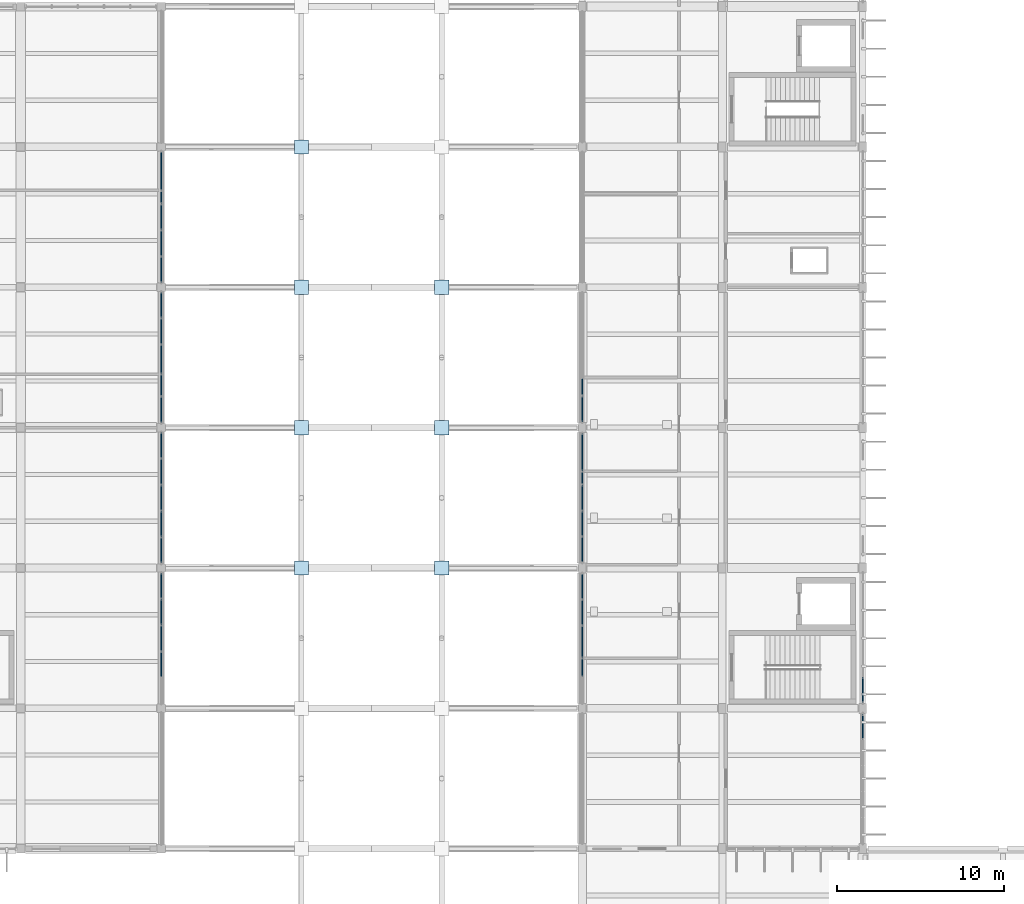
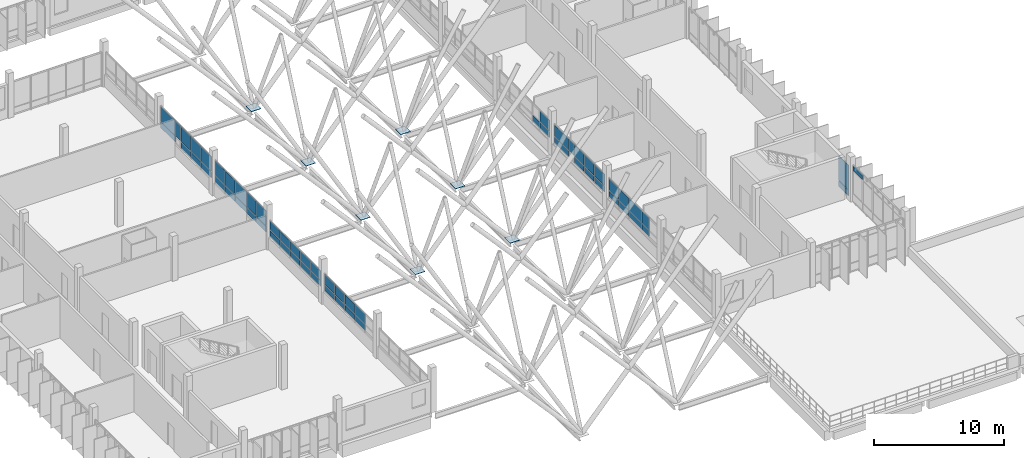
# One storey, part 75 of 107: 67 plates, 9 elements without a shape of their own.
"""IFC4 building model written with IfcOpenShell, lengths in metres."""

from ifc_helpers import new_model, si_unit, direction, frame, origin, origin_2d, place, context, subcontext, project, spatial, rectangle, extrude, material, layer, layer_set, type_object, element, aggregate, save


model = new_model("IFC4")

# Units and contexts
model_context = context("Model", 3, precision=1e-05, world=origin(), true_north=direction((0.0, 1.0)))
body_context = subcontext(model_context, "Body", "Model", "MODEL_VIEW")
ifc_project = project(units=[si_unit("LENGTHUNIT", "METRE"), si_unit("AREAUNIT", "SQUARE_METRE"), si_unit("VOLUMEUNIT", "CUBIC_METRE"), si_unit("PLANEANGLEUNIT", "RADIAN"), si_unit("MASSUNIT", "GRAM", prefix="KILO")], contexts=[model_context])

# Site, building, storey
site_placement = place(None, origin())
site = spatial("IfcSite", under=ifc_project, at=site_placement, CompositionType="ELEMENT")
building_placement = place(site_placement, origin())
building = spatial("IfcBuilding", under=site, at=building_placement, Name="Vireocrest Preparatory School", CompositionType="ELEMENT")
storey_placement = place(building_placement, frame((0.0, 0.0, 13.199951171875)))
storey = spatial("IfcBuildingStorey", under=building, at=storey_placement, Name="L03", CompositionType="ELEMENT", Elevation=13.199951171875)

# Curtain wall, plate
ifc_material_1 = material(Name="Thermally broken aluminium EN AW-6063-T6", Category="aluminium")
ifc_layer_1 = layer(ifc_material_1, 0.179931640625)
ifc_layer_set_1 = layer_set([ifc_layer_1], Name="Thermally broken aluminium EN AW-6063-T6")
curtain_wall_type_1 = type_object("IfcCurtainWallType", Name="Teaching Fin Curtain Wall 8400x4200", PredefinedType="USERDEFINED", material=ifc_layer_set_1)
curtain_wall_1_placement = place(storey_placement, origin())
curtain_wall_1 = element("IfcCurtainWall", 1, at=curtain_wall_1_placement, inside=storey, type_object=curtain_wall_type_1, Name="Curtain Wall CW03 CW_L03_CW03_1092_0357_132", ObjectType="CURTAIN WALL", PredefinedType="USERDEFINED")
ifc_material_2 = material(Name="Insulated triple low-e tempered safety glass", Category="glass")
ifc_layer_2 = layer(ifc_material_2, 0.074951171875)
ifc_layer_set_2 = layer_set([ifc_layer_2], Name="Insulated triple low-e tempered safety glass")
plate_type_1 = type_object("IfcPlateType", Name="Acoustic Triple-Glazed Lab Curtain Panel 75", PredefinedType="CURTAIN_PANEL", material=ifc_layer_set_2)
plate_1_placement = place(storey_placement, frame((109.199951171875, 42.69189453125, 2.96240234375), z_axis=(0.0, 0.0, 1.0), x_axis=(0.0, 1.0, 0.0)))
plate_1 = element("IfcPlate", 2, at=plate_1_placement, type_object=plate_type_1, Name="CW Panel GL2 CW_L03_CW03_1092_0357_132-5-3", PredefinedType="CURTAIN_PANEL", context=body_context, shape_type="SweptSolid", body=[
    extrude(rectangle(XDim=1.48095703125, YDim=0.074951171875, at=origin_2d()), origin(), (0.0, 0.0, 1.0), 0.409912109375),
])
aggregate(curtain_wall_1, [plate_1])

# Curtain wall, plates
curtain_wall_2_placement = place(storey_placement, origin())
curtain_wall_2 = element("IfcCurtainWall", 3, at=curtain_wall_2_placement, inside=storey, type_object=curtain_wall_type_1, Name="Curtain Wall CW03 CW_L03_CW03_1092_0441_132", ObjectType="CURTAIN WALL", PredefinedType="USERDEFINED")
plate_2_placement = place(storey_placement, frame((109.199951171875, 44.907958984375, 0.12744140625), z_axis=(0.0, 0.0, 1.0), x_axis=(0.0, 1.0, 0.0)))
plate_2 = element("IfcPlate", 4, at=plate_2_placement, type_object=plate_type_1, Name="CW Panel GL2 CW_L03_CW03_1092_0441_132-1-1", PredefinedType="CURTAIN_PANEL", context=body_context, shape_type="SweptSolid", body=[
    extrude(rectangle(XDim=1.48095703125, YDim=0.074951171875, at=origin_2d()), origin(), (0.0, 0.0, 1.0), 0.5400390625),
])
plate_3_placement = place(storey_placement, frame((109.199951171875, 44.907958984375, 0.732666015625), z_axis=(0.0, 0.0, 1.0), x_axis=(0.0, 1.0, 0.0)))
plate_3 = element("IfcPlate", 5, at=plate_3_placement, type_object=plate_type_1, Name="CW Panel GL2 CW_L03_CW03_1092_0441_132-1-2", PredefinedType="CURTAIN_PANEL", context=body_context, shape_type="SweptSolid", body=[
    extrude(rectangle(XDim=1.48095703125, YDim=0.074951171875, at=origin_2d()), origin(), (0.0, 0.0, 1.0), 2.25),
])
aggregate(curtain_wall_2, [plate_2, plate_3])

ifc_layer_3 = layer(ifc_material_1, 0.179931640625)
ifc_layer_set_3 = layer_set([ifc_layer_3], Name="Thermally broken aluminium EN AW-6063-T6")
curtain_wall_type_2 = type_object("IfcCurtainWallType", Name="Court Banded Curtain Wall 8400x3000", PredefinedType="USERDEFINED", material=ifc_layer_set_3)
curtain_wall_3_placement = place(storey_placement, origin())
curtain_wall_3 = element("IfcCurtainWall", 6, at=curtain_wall_3_placement, inside=storey, type_object=curtain_wall_type_2, Name="Curtain Wall CW02 CW_L03_CW02_0672_0440_144", ObjectType="CURTAIN WALL", PredefinedType="USERDEFINED")
ifc_layer_4 = layer(ifc_material_2, 0.06005859375)
ifc_layer_set_4 = layer_set([ifc_layer_4], Name="Insulated triple low-e tempered safety glass")
plate_type_2 = type_object("IfcPlateType", Name="Triple-Glazed Vision Curtain Panel 60", PredefinedType="CURTAIN_PANEL", material=ifc_layer_set_4)
plate_4_placement = place(storey_placement, frame((67.199951171875, 46.43408203125, 1.277587890625), z_axis=(0.0, 0.0, 1.0), x_axis=(0.0, 1.0, 0.0)))
plate_4 = element("IfcPlate", 7, at=plate_4_placement, type_object=plate_type_2, Name="CW Panel GL1 CW_L03_CW02_0672_0440_144-2-1", PredefinedType="CURTAIN_PANEL", context=body_context, shape_type="SweptSolid", body=[
    extrude(rectangle(XDim=1.5009765625, YDim=0.06005859375, at=origin_2d()), origin(), (0.0, 0.0, 1.0), 0.5400390625),
])
plate_5_placement = place(storey_placement, frame((67.199951171875, 46.43408203125, 1.882568359375), z_axis=(0.0, 0.0, 1.0), x_axis=(0.0, 1.0, 0.0)))
plate_5 = element("IfcPlate", 8, at=plate_5_placement, type_object=plate_type_2, Name="CW Panel GL1 CW_L03_CW02_0672_0440_144-2-2", PredefinedType="CURTAIN_PANEL", context=body_context, shape_type="SweptSolid", body=[
    extrude(rectangle(XDim=1.5009765625, YDim=0.06005859375, at=origin_2d()), origin(), (0.0, 0.0, 1.0), 0.919921875),
])
plate_6_placement = place(storey_placement, frame((67.199951171875, 48.0, 1.277587890625), z_axis=(0.0, 0.0, 1.0), x_axis=(0.0, 1.0, 0.0)))
plate_6 = element("IfcPlate", 9, at=plate_6_placement, type_object=plate_type_2, Name="CW Panel GL1 CW_L03_CW02_0672_0440_144-3-1", PredefinedType="CURTAIN_PANEL", context=body_context, shape_type="SweptSolid", body=[
    extrude(rectangle(XDim=1.5009765625, YDim=0.06005859375, at=origin_2d()), origin(), (0.0, 0.0, 1.0), 0.5400390625),
])
plate_7_placement = place(storey_placement, frame((67.199951171875, 48.0, 1.882568359375), z_axis=(0.0, 0.0, 1.0), x_axis=(0.0, 1.0, 0.0)))
plate_7 = element("IfcPlate", 10, at=plate_7_placement, type_object=plate_type_2, Name="CW Panel GL1 CW_L03_CW02_0672_0440_144-3-2", PredefinedType="CURTAIN_PANEL", context=body_context, shape_type="SweptSolid", body=[
    extrude(rectangle(XDim=1.5009765625, YDim=0.06005859375, at=origin_2d()), origin(), (0.0, 0.0, 1.0), 0.919921875),
])
plate_8_placement = place(storey_placement, frame((67.199951171875, 49.56591796875, 1.277587890625), z_axis=(0.0, 0.0, 1.0), x_axis=(0.0, 1.0, 0.0)))
plate_8 = element("IfcPlate", 11, at=plate_8_placement, type_object=plate_type_2, Name="CW Panel GL1 CW_L03_CW02_0672_0440_144-4-1", PredefinedType="CURTAIN_PANEL", context=body_context, shape_type="SweptSolid", body=[
    extrude(rectangle(XDim=1.5009765625, YDim=0.06005859375, at=origin_2d()), origin(), (0.0, 0.0, 1.0), 0.5400390625),
])
plate_9_placement = place(storey_placement, frame((67.199951171875, 49.56591796875, 1.882568359375), z_axis=(0.0, 0.0, 1.0), x_axis=(0.0, 1.0, 0.0)))
plate_9 = element("IfcPlate", 12, at=plate_9_placement, type_object=plate_type_2, Name="CW Panel GL1 CW_L03_CW02_0672_0440_144-4-2", PredefinedType="CURTAIN_PANEL", context=body_context, shape_type="SweptSolid", body=[
    extrude(rectangle(XDim=1.5009765625, YDim=0.06005859375, at=origin_2d()), origin(), (0.0, 0.0, 1.0), 0.919921875),
])
plate_10_placement = place(storey_placement, frame((67.199951171875, 51.132080078125, 1.277587890625), z_axis=(0.0, 0.0, 1.0), x_axis=(0.0, 1.0, 0.0)))
plate_10 = element("IfcPlate", 13, at=plate_10_placement, type_object=plate_type_2, Name="CW Panel GL1 CW_L03_CW02_0672_0440_144-5-1", PredefinedType="CURTAIN_PANEL", context=body_context, shape_type="SweptSolid", body=[
    extrude(rectangle(XDim=1.5009765625, YDim=0.06005859375, at=origin_2d()), origin(), (0.0, 0.0, 1.0), 0.5400390625),
])
plate_11_placement = place(storey_placement, frame((67.199951171875, 51.132080078125, 1.882568359375), z_axis=(0.0, 0.0, 1.0), x_axis=(0.0, 1.0, 0.0)))
plate_11 = element("IfcPlate", 14, at=plate_11_placement, type_object=plate_type_2, Name="CW Panel GL1 CW_L03_CW02_0672_0440_144-5-2", PredefinedType="CURTAIN_PANEL", context=body_context, shape_type="SweptSolid", body=[
    extrude(rectangle(XDim=1.5009765625, YDim=0.06005859375, at=origin_2d()), origin(), (0.0, 0.0, 1.0), 0.919921875),
])
aggregate(curtain_wall_3, [plate_4, plate_5, plate_6, plate_7, plate_8, plate_9, plate_10, plate_11])

curtain_wall_4_placement = place(storey_placement, origin())
curtain_wall_4 = element("IfcCurtainWall", 15, at=curtain_wall_4_placement, inside=storey, type_object=curtain_wall_type_2, Name="Curtain Wall CW02 CW_L03_CW02_0672_0524_144", ObjectType="CURTAIN WALL", PredefinedType="USERDEFINED")
plate_12_placement = place(storey_placement, frame((67.199951171875, 53.26806640625, 1.277587890625), z_axis=(0.0, 0.0, 1.0), x_axis=(0.0, 1.0, 0.0)))
plate_12 = element("IfcPlate", 16, at=plate_12_placement, type_object=plate_type_2, Name="CW Panel GL1 CW_L03_CW02_0672_0524_144-1-1", PredefinedType="CURTAIN_PANEL", context=body_context, shape_type="SweptSolid", body=[
    extrude(rectangle(XDim=1.5009765625, YDim=0.06005859375, at=origin_2d()), origin(), (0.0, 0.0, 1.0), 0.5400390625),
])
plate_13_placement = place(storey_placement, frame((67.199951171875, 53.26806640625, 1.88232421875), z_axis=(0.0, 0.0, 1.0), x_axis=(0.0, 1.0, 0.0)))
plate_13 = element("IfcPlate", 17, at=plate_13_placement, type_object=plate_type_2, Name="CW Panel GL1 CW_L03_CW02_0672_0524_144-1-2", PredefinedType="CURTAIN_PANEL", context=body_context, shape_type="SweptSolid", body=[
    extrude(rectangle(XDim=1.5009765625, YDim=0.06005859375, at=origin_2d()), origin(), (0.0, 0.0, 1.0), 0.820068359375),
])
plate_14_placement = place(storey_placement, frame((67.199951171875, 54.833984375, 1.277587890625), z_axis=(0.0, 0.0, 1.0), x_axis=(0.0, 1.0, 0.0)))
plate_14 = element("IfcPlate", 18, at=plate_14_placement, type_object=plate_type_2, Name="CW Panel GL1 CW_L03_CW02_0672_0524_144-2-1", PredefinedType="CURTAIN_PANEL", context=body_context, shape_type="SweptSolid", body=[
    extrude(rectangle(XDim=1.5009765625, YDim=0.06005859375, at=origin_2d()), origin(), (0.0, 0.0, 1.0), 0.5400390625),
])
plate_15_placement = place(storey_placement, frame((67.199951171875, 54.833984375, 1.88232421875), z_axis=(0.0, 0.0, 1.0), x_axis=(0.0, 1.0, 0.0)))
plate_15 = element("IfcPlate", 19, at=plate_15_placement, type_object=plate_type_2, Name="CW Panel GL1 CW_L03_CW02_0672_0524_144-2-2", PredefinedType="CURTAIN_PANEL", context=body_context, shape_type="SweptSolid", body=[
    extrude(rectangle(XDim=1.5009765625, YDim=0.06005859375, at=origin_2d()), origin(), (0.0, 0.0, 1.0), 0.820068359375),
])
plate_16_placement = place(storey_placement, frame((67.199951171875, 56.39990234375, 1.277587890625), z_axis=(0.0, 0.0, 1.0), x_axis=(0.0, 1.0, 0.0)))
plate_16 = element("IfcPlate", 20, at=plate_16_placement, type_object=plate_type_2, Name="CW Panel GL1 CW_L03_CW02_0672_0524_144-3-1", PredefinedType="CURTAIN_PANEL", context=body_context, shape_type="SweptSolid", body=[
    extrude(rectangle(XDim=1.5009765625, YDim=0.06005859375, at=origin_2d()), origin(), (0.0, 0.0, 1.0), 0.5400390625),
])
plate_17_placement = place(storey_placement, frame((67.199951171875, 56.39990234375, 1.88232421875), z_axis=(0.0, 0.0, 1.0), x_axis=(0.0, 1.0, 0.0)))
plate_17 = element("IfcPlate", 21, at=plate_17_placement, type_object=plate_type_2, Name="CW Panel GL1 CW_L03_CW02_0672_0524_144-3-2", PredefinedType="CURTAIN_PANEL", context=body_context, shape_type="SweptSolid", body=[
    extrude(rectangle(XDim=1.5009765625, YDim=0.06005859375, at=origin_2d()), origin(), (0.0, 0.0, 1.0), 0.820068359375),
])
plate_18_placement = place(storey_placement, frame((67.199951171875, 57.966064453125, 1.277587890625), z_axis=(0.0, 0.0, 1.0), x_axis=(0.0, 1.0, 0.0)))
plate_18 = element("IfcPlate", 22, at=plate_18_placement, type_object=plate_type_2, Name="CW Panel GL1 CW_L03_CW02_0672_0524_144-4-1", PredefinedType="CURTAIN_PANEL", context=body_context, shape_type="SweptSolid", body=[
    extrude(rectangle(XDim=1.5009765625, YDim=0.06005859375, at=origin_2d()), origin(), (0.0, 0.0, 1.0), 0.5400390625),
])
plate_19_placement = place(storey_placement, frame((67.199951171875, 57.966064453125, 1.88232421875), z_axis=(0.0, 0.0, 1.0), x_axis=(0.0, 1.0, 0.0)))
plate_19 = element("IfcPlate", 23, at=plate_19_placement, type_object=plate_type_2, Name="CW Panel GL1 CW_L03_CW02_0672_0524_144-4-2", PredefinedType="CURTAIN_PANEL", context=body_context, shape_type="SweptSolid", body=[
    extrude(rectangle(XDim=1.5009765625, YDim=0.06005859375, at=origin_2d()), origin(), (0.0, 0.0, 1.0), 0.820068359375),
])
plate_20_placement = place(storey_placement, frame((67.199951171875, 59.531982421875, 1.277587890625), z_axis=(0.0, 0.0, 1.0), x_axis=(0.0, 1.0, 0.0)))
plate_20 = element("IfcPlate", 24, at=plate_20_placement, type_object=plate_type_2, Name="CW Panel GL1 CW_L03_CW02_0672_0524_144-5-1", PredefinedType="CURTAIN_PANEL", context=body_context, shape_type="SweptSolid", body=[
    extrude(rectangle(XDim=1.5009765625, YDim=0.06005859375, at=origin_2d()), origin(), (0.0, 0.0, 1.0), 0.5400390625),
])
plate_21_placement = place(storey_placement, frame((67.199951171875, 59.531982421875, 1.88232421875), z_axis=(0.0, 0.0, 1.0), x_axis=(0.0, 1.0, 0.0)))
plate_21 = element("IfcPlate", 25, at=plate_21_placement, type_object=plate_type_2, Name="CW Panel GL1 CW_L03_CW02_0672_0524_144-5-2", PredefinedType="CURTAIN_PANEL", context=body_context, shape_type="SweptSolid", body=[
    extrude(rectangle(XDim=1.5009765625, YDim=0.06005859375, at=origin_2d()), origin(), (0.0, 0.0, 1.0), 0.820068359375),
])
aggregate(curtain_wall_4, [plate_12, plate_13, plate_14, plate_15, plate_16, plate_17, plate_18, plate_19, plate_20, plate_21])

curtain_wall_5_placement = place(storey_placement, origin())
curtain_wall_5 = element("IfcCurtainWall", 26, at=curtain_wall_5_placement, inside=storey, type_object=curtain_wall_type_2, Name="Curtain Wall CW02 CW_L03_CW02_0672_0608_144", ObjectType="CURTAIN WALL", PredefinedType="USERDEFINED")
plate_22_placement = place(storey_placement, frame((67.199951171875, 61.66796875, 1.277587890625), z_axis=(0.0, 0.0, 1.0), x_axis=(0.0, 1.0, 0.0)))
plate_22 = element("IfcPlate", 27, at=plate_22_placement, type_object=plate_type_2, Name="CW Panel GL1 CW_L03_CW02_0672_0608_144-1-1", PredefinedType="CURTAIN_PANEL", context=body_context, shape_type="SweptSolid", body=[
    extrude(rectangle(XDim=1.5009765625, YDim=0.06005859375, at=origin_2d()), origin(), (0.0, 0.0, 1.0), 0.5400390625),
])
plate_23_placement = place(storey_placement, frame((67.199951171875, 61.66796875, 1.882568359375), z_axis=(0.0, 0.0, 1.0), x_axis=(0.0, 1.0, 0.0)))
plate_23 = element("IfcPlate", 28, at=plate_23_placement, type_object=plate_type_2, Name="CW Panel GL1 CW_L03_CW02_0672_0608_144-1-2", PredefinedType="CURTAIN_PANEL", context=body_context, shape_type="SweptSolid", body=[
    extrude(rectangle(XDim=1.5009765625, YDim=0.06005859375, at=origin_2d()), origin(), (0.0, 0.0, 1.0), 1.3701171875),
])
plate_24_placement = place(storey_placement, frame((67.199951171875, 63.12548828125, 1.277587890625), z_axis=(0.0, 0.0, 1.0), x_axis=(0.0, 1.0, 0.0)))
plate_24 = element("IfcPlate", 29, at=plate_24_placement, type_object=plate_type_2, Name="CW Panel GL1 CW_L03_CW02_0672_0608_144-2-1", PredefinedType="CURTAIN_PANEL", context=body_context, shape_type="SweptSolid", body=[
    extrude(rectangle(XDim=1.283935546875, YDim=0.06005859375, at=origin_2d()), origin(), (0.0, 0.0, 1.0), 0.5400390625),
])
plate_25_placement = place(storey_placement, frame((67.199951171875, 63.12548828125, 1.882568359375), z_axis=(0.0, 0.0, 1.0), x_axis=(0.0, 1.0, 0.0)))
plate_25 = element("IfcPlate", 30, at=plate_25_placement, type_object=plate_type_2, Name="CW Panel GL1 CW_L03_CW02_0672_0608_144-2-2", PredefinedType="CURTAIN_PANEL", context=body_context, shape_type="SweptSolid", body=[
    extrude(rectangle(XDim=1.283935546875, YDim=0.06005859375, at=origin_2d()), origin(), (0.0, 0.0, 1.0), 1.3701171875),
])
plate_26_placement = place(storey_placement, frame((67.199951171875, 64.69140625, 1.277587890625), z_axis=(0.0, 0.0, 1.0), x_axis=(0.0, 1.0, 0.0)))
plate_26 = element("IfcPlate", 31, at=plate_26_placement, type_object=plate_type_2, Name="CW Panel GL1 CW_L03_CW02_0672_0608_144-3-1", PredefinedType="CURTAIN_PANEL", context=body_context, shape_type="SweptSolid", body=[
    extrude(rectangle(XDim=1.718017578125, YDim=0.06005859375, at=origin_2d()), origin(), (0.0, 0.0, 1.0), 0.5400390625),
])
plate_27_placement = place(storey_placement, frame((67.199951171875, 64.69140625, 1.882568359375), z_axis=(0.0, 0.0, 1.0), x_axis=(0.0, 1.0, 0.0)))
plate_27 = element("IfcPlate", 32, at=plate_27_placement, type_object=plate_type_2, Name="CW Panel GL1 CW_L03_CW02_0672_0608_144-3-2", PredefinedType="CURTAIN_PANEL", context=body_context, shape_type="SweptSolid", body=[
    extrude(rectangle(XDim=1.718017578125, YDim=0.06005859375, at=origin_2d()), origin(), (0.0, 0.0, 1.0), 1.3701171875),
])
plate_28_placement = place(storey_placement, frame((67.199951171875, 66.365966796875, 1.277587890625), z_axis=(0.0, 0.0, 1.0), x_axis=(0.0, 1.0, 0.0)))
plate_28 = element("IfcPlate", 33, at=plate_28_placement, type_object=plate_type_2, Name="CW Panel GL1 CW_L03_CW02_0672_0608_144-4-1", PredefinedType="CURTAIN_PANEL", context=body_context, shape_type="SweptSolid", body=[
    extrude(rectangle(XDim=1.5009765625, YDim=0.06005859375, at=origin_2d()), origin(), (0.0, 0.0, 1.0), 0.5400390625),
])
plate_29_placement = place(storey_placement, frame((67.199951171875, 66.365966796875, 1.882568359375), z_axis=(0.0, 0.0, 1.0), x_axis=(0.0, 1.0, 0.0)))
plate_29 = element("IfcPlate", 34, at=plate_29_placement, type_object=plate_type_2, Name="CW Panel GL1 CW_L03_CW02_0672_0608_144-4-2", PredefinedType="CURTAIN_PANEL", context=body_context, shape_type="SweptSolid", body=[
    extrude(rectangle(XDim=1.5009765625, YDim=0.06005859375, at=origin_2d()), origin(), (0.0, 0.0, 1.0), 1.3701171875),
])
plate_30_placement = place(storey_placement, frame((67.199951171875, 67.931884765625, 1.277587890625), z_axis=(0.0, 0.0, 1.0), x_axis=(0.0, 1.0, 0.0)))
plate_30 = element("IfcPlate", 35, at=plate_30_placement, type_object=plate_type_2, Name="CW Panel GL1 CW_L03_CW02_0672_0608_144-5-1", PredefinedType="CURTAIN_PANEL", context=body_context, shape_type="SweptSolid", body=[
    extrude(rectangle(XDim=1.5009765625, YDim=0.06005859375, at=origin_2d()), origin(), (0.0, 0.0, 1.0), 0.5400390625),
])
plate_31_placement = place(storey_placement, frame((67.199951171875, 67.931884765625, 1.882568359375), z_axis=(0.0, 0.0, 1.0), x_axis=(0.0, 1.0, 0.0)))
plate_31 = element("IfcPlate", 36, at=plate_31_placement, type_object=plate_type_2, Name="CW Panel GL1 CW_L03_CW02_0672_0608_144-5-2", PredefinedType="CURTAIN_PANEL", context=body_context, shape_type="SweptSolid", body=[
    extrude(rectangle(XDim=1.5009765625, YDim=0.06005859375, at=origin_2d()), origin(), (0.0, 0.0, 1.0), 1.3701171875),
])
aggregate(curtain_wall_5, [plate_22, plate_23, plate_24, plate_25, plate_26, plate_27, plate_28, plate_29, plate_30, plate_31])

curtain_wall_6_placement = place(storey_placement, origin())
curtain_wall_6 = element("IfcCurtainWall", 37, at=curtain_wall_6_placement, inside=storey, type_object=curtain_wall_type_2, Name="Curtain Wall CW02 CW_L03_CW02_0672_0692_144", ObjectType="CURTAIN WALL", PredefinedType="USERDEFINED")
plate_32_placement = place(storey_placement, frame((67.199951171875, 70.068115234375, 1.277587890625), z_axis=(0.0, 0.0, 1.0), x_axis=(0.0, 1.0, 0.0)))
plate_32 = element("IfcPlate", 38, at=plate_32_placement, type_object=plate_type_2, Name="CW Panel GL1 CW_L03_CW02_0672_0692_144-1-1", PredefinedType="CURTAIN_PANEL", context=body_context, shape_type="SweptSolid", body=[
    extrude(rectangle(XDim=1.5009765625, YDim=0.06005859375, at=origin_2d()), origin(), (0.0, 0.0, 1.0), 0.5400390625),
])
plate_33_placement = place(storey_placement, frame((67.199951171875, 70.068115234375, 1.882568359375), z_axis=(0.0, 0.0, 1.0), x_axis=(0.0, 1.0, 0.0)))
plate_33 = element("IfcPlate", 39, at=plate_33_placement, type_object=plate_type_2, Name="CW Panel GL1 CW_L03_CW02_0672_0692_144-1-2", PredefinedType="CURTAIN_PANEL", context=body_context, shape_type="SweptSolid", body=[
    extrude(rectangle(XDim=1.5009765625, YDim=0.06005859375, at=origin_2d()), origin(), (0.0, 0.0, 1.0), 1.3701171875),
])
plate_34_placement = place(storey_placement, frame((67.199951171875, 71.634033203125, 1.277587890625), z_axis=(0.0, 0.0, 1.0), x_axis=(0.0, 1.0, 0.0)))
plate_34 = element("IfcPlate", 40, at=plate_34_placement, type_object=plate_type_2, Name="CW Panel GL1 CW_L03_CW02_0672_0692_144-2-1", PredefinedType="CURTAIN_PANEL", context=body_context, shape_type="SweptSolid", body=[
    extrude(rectangle(XDim=1.5009765625, YDim=0.06005859375, at=origin_2d()), origin(), (0.0, 0.0, 1.0), 0.5400390625),
])
plate_35_placement = place(storey_placement, frame((67.199951171875, 71.634033203125, 1.882568359375), z_axis=(0.0, 0.0, 1.0), x_axis=(0.0, 1.0, 0.0)))
plate_35 = element("IfcPlate", 41, at=plate_35_placement, type_object=plate_type_2, Name="CW Panel GL1 CW_L03_CW02_0672_0692_144-2-2", PredefinedType="CURTAIN_PANEL", context=body_context, shape_type="SweptSolid", body=[
    extrude(rectangle(XDim=1.5009765625, YDim=0.06005859375, at=origin_2d()), origin(), (0.0, 0.0, 1.0), 1.3701171875),
])
plate_36_placement = place(storey_placement, frame((67.199951171875, 73.199951171875, 1.277587890625), z_axis=(0.0, 0.0, 1.0), x_axis=(0.0, 1.0, 0.0)))
plate_36 = element("IfcPlate", 42, at=plate_36_placement, type_object=plate_type_2, Name="CW Panel GL1 CW_L03_CW02_0672_0692_144-3-1", PredefinedType="CURTAIN_PANEL", context=body_context, shape_type="SweptSolid", body=[
    extrude(rectangle(XDim=1.5009765625, YDim=0.06005859375, at=origin_2d()), origin(), (0.0, 0.0, 1.0), 0.5400390625),
])
plate_37_placement = place(storey_placement, frame((67.199951171875, 73.199951171875, 1.882568359375), z_axis=(0.0, 0.0, 1.0), x_axis=(0.0, 1.0, 0.0)))
plate_37 = element("IfcPlate", 43, at=plate_37_placement, type_object=plate_type_2, Name="CW Panel GL1 CW_L03_CW02_0672_0692_144-3-2", PredefinedType="CURTAIN_PANEL", context=body_context, shape_type="SweptSolid", body=[
    extrude(rectangle(XDim=1.5009765625, YDim=0.06005859375, at=origin_2d()), origin(), (0.0, 0.0, 1.0), 1.3701171875),
])
plate_38_placement = place(storey_placement, frame((67.199951171875, 74.3916015625, 1.882568359375), z_axis=(0.0, 0.0, 1.0), x_axis=(0.0, 1.0, 0.0)))
plate_38 = element("IfcPlate", 44, at=plate_38_placement, type_object=plate_type_2, Name="CW Panel GL1 CW_L03_CW02_0672_0692_144-4-2", PredefinedType="CURTAIN_PANEL", context=body_context, shape_type="SweptSolid", body=[
    extrude(rectangle(XDim=0.751953125, YDim=0.06005859375, at=origin_2d()), origin(), (0.0, 0.0, 1.0), 1.3701171875),
])
plate_39_placement = place(storey_placement, frame((67.199951171875, 75.95751953125, 1.277587890625), z_axis=(0.0, 0.0, 1.0), x_axis=(0.0, 1.0, 0.0)))
plate_39 = element("IfcPlate", 45, at=plate_39_placement, type_object=plate_type_2, Name="CW Panel GL1 CW_L03_CW02_0672_0692_144-5-1", PredefinedType="CURTAIN_PANEL", context=body_context, shape_type="SweptSolid", body=[
    extrude(rectangle(XDim=2.25, YDim=0.06005859375, at=origin_2d()), origin(), (0.0, 0.0, 1.0), 0.5400390625),
])
plate_40_placement = place(storey_placement, frame((67.199951171875, 75.95751953125, 1.882568359375), z_axis=(0.0, 0.0, 1.0), x_axis=(0.0, 1.0, 0.0)))
plate_40 = element("IfcPlate", 46, at=plate_40_placement, type_object=plate_type_2, Name="CW Panel GL1 CW_L03_CW02_0672_0692_144-5-2", PredefinedType="CURTAIN_PANEL", context=body_context, shape_type="SweptSolid", body=[
    extrude(rectangle(XDim=2.25, YDim=0.06005859375, at=origin_2d()), origin(), (0.0, 0.0, 1.0), 1.3701171875),
])
aggregate(curtain_wall_6, [plate_32, plate_33, plate_34, plate_35, plate_36, plate_37, plate_38, plate_39, plate_40])

curtain_wall_7_placement = place(storey_placement, origin())
curtain_wall_7 = element("IfcCurtainWall", 47, at=curtain_wall_7_placement, inside=storey, type_object=curtain_wall_type_2, Name="Curtain Wall CW02 CW_L03_CW02_0924_0441_144", ObjectType="CURTAIN WALL", PredefinedType="USERDEFINED")
plate_41_placement = place(storey_placement, frame((92.39990234375, 46.240478515625, 1.277587890625), z_axis=(0.0, 0.0, 1.0), x_axis=(0.0, 1.0, 0.0)))
plate_41 = element("IfcPlate", 48, at=plate_41_placement, type_object=plate_type_2, Name="CW Panel GL1 CW_L03_CW02_0924_0441_144-2-1", PredefinedType="CURTAIN_PANEL", context=body_context, shape_type="SweptSolid", body=[
    extrude(rectangle(XDim=1.053955078125, YDim=0.06005859375, at=origin_2d()), origin(), (0.0, 0.0, 1.0), 0.5400390625),
])
plate_42_placement = place(storey_placement, frame((92.39990234375, 46.240478515625, 1.882568359375), z_axis=(0.0, 0.0, 1.0), x_axis=(0.0, 1.0, 0.0)))
plate_42 = element("IfcPlate", 49, at=plate_42_placement, type_object=plate_type_2, Name="CW Panel GL1 CW_L03_CW02_0924_0441_144-2-2", PredefinedType="CURTAIN_PANEL", context=body_context, shape_type="SweptSolid", body=[
    extrude(rectangle(XDim=1.053955078125, YDim=0.06005859375, at=origin_2d()), origin(), (0.0, 0.0, 1.0), 1.10009765625),
])
plate_43_placement = place(storey_placement, frame((92.39990234375, 47.78662109375, 1.277587890625), z_axis=(0.0, 0.0, 1.0), x_axis=(0.0, 1.0, 0.0)))
plate_43 = element("IfcPlate", 50, at=plate_43_placement, type_object=plate_type_2, Name="CW Panel GL1 CW_L03_CW02_0924_0441_144-3-1", PredefinedType="CURTAIN_PANEL", context=body_context, shape_type="SweptSolid", body=[
    extrude(rectangle(XDim=1.907958984375, YDim=0.06005859375, at=origin_2d()), origin(), (0.0, 0.0, 1.0), 0.5400390625),
])
plate_44_placement = place(storey_placement, frame((92.39990234375, 47.78662109375, 1.882568359375), z_axis=(0.0, 0.0, 1.0), x_axis=(0.0, 1.0, 0.0)))
plate_44 = element("IfcPlate", 51, at=plate_44_placement, type_object=plate_type_2, Name="CW Panel GL1 CW_L03_CW02_0924_0441_144-3-2", PredefinedType="CURTAIN_PANEL", context=body_context, shape_type="SweptSolid", body=[
    extrude(rectangle(XDim=1.907958984375, YDim=0.06005859375, at=origin_2d()), origin(), (0.0, 0.0, 1.0), 1.10009765625),
])
plate_45_placement = place(storey_placement, frame((92.39990234375, 49.5458984375, 1.277587890625), z_axis=(0.0, 0.0, 1.0), x_axis=(0.0, 1.0, 0.0)))
plate_45 = element("IfcPlate", 52, at=plate_45_placement, type_object=plate_type_2, Name="CW Panel GL1 CW_L03_CW02_0924_0441_144-4-1", PredefinedType="CURTAIN_PANEL", context=body_context, shape_type="SweptSolid", body=[
    extrude(rectangle(XDim=1.48095703125, YDim=0.06005859375, at=origin_2d()), origin(), (0.0, 0.0, 1.0), 0.5400390625),
])
plate_46_placement = place(storey_placement, frame((92.39990234375, 49.5458984375, 1.882568359375), z_axis=(0.0, 0.0, 1.0), x_axis=(0.0, 1.0, 0.0)))
plate_46 = element("IfcPlate", 53, at=plate_46_placement, type_object=plate_type_2, Name="CW Panel GL1 CW_L03_CW02_0924_0441_144-4-2", PredefinedType="CURTAIN_PANEL", context=body_context, shape_type="SweptSolid", body=[
    extrude(rectangle(XDim=1.48095703125, YDim=0.06005859375, at=origin_2d()), origin(), (0.0, 0.0, 1.0), 1.10009765625),
])
plate_47_placement = place(storey_placement, frame((92.39990234375, 51.092041015625, 1.277587890625), z_axis=(0.0, 0.0, 1.0), x_axis=(0.0, 1.0, 0.0)))
plate_47 = element("IfcPlate", 54, at=plate_47_placement, type_object=plate_type_2, Name="CW Panel GL1 CW_L03_CW02_0924_0441_144-5-1", PredefinedType="CURTAIN_PANEL", context=body_context, shape_type="SweptSolid", body=[
    extrude(rectangle(XDim=1.48095703125, YDim=0.06005859375, at=origin_2d()), origin(), (0.0, 0.0, 1.0), 0.5400390625),
])
plate_48_placement = place(storey_placement, frame((92.39990234375, 51.092041015625, 1.882568359375), z_axis=(0.0, 0.0, 1.0), x_axis=(0.0, 1.0, 0.0)))
plate_48 = element("IfcPlate", 55, at=plate_48_placement, type_object=plate_type_2, Name="CW Panel GL1 CW_L03_CW02_0924_0441_144-5-2", PredefinedType="CURTAIN_PANEL", context=body_context, shape_type="SweptSolid", body=[
    extrude(rectangle(XDim=1.48095703125, YDim=0.06005859375, at=origin_2d()), origin(), (0.0, 0.0, 1.0), 1.10009765625),
])
aggregate(curtain_wall_7, [plate_41, plate_42, plate_43, plate_44, plate_45, plate_46, plate_47, plate_48])

curtain_wall_8_placement = place(storey_placement, origin())
curtain_wall_8 = element("IfcCurtainWall", 56, at=curtain_wall_8_placement, inside=storey, type_object=curtain_wall_type_2, Name="Curtain Wall CW02 CW_L03_CW02_0924_0525_144", ObjectType="CURTAIN WALL", PredefinedType="USERDEFINED")
plate_49_placement = place(storey_placement, frame((92.39990234375, 53.30810546875, 1.277587890625), z_axis=(0.0, 0.0, 1.0), x_axis=(0.0, 1.0, 0.0)))
plate_49 = element("IfcPlate", 57, at=plate_49_placement, type_object=plate_type_2, Name="CW Panel GL1 CW_L03_CW02_0924_0525_144-1-1", PredefinedType="CURTAIN_PANEL", context=body_context, shape_type="SweptSolid", body=[
    extrude(rectangle(XDim=1.48095703125, YDim=0.06005859375, at=origin_2d()), origin(), (0.0, 0.0, 1.0), 0.5400390625),
])
plate_50_placement = place(storey_placement, frame((92.39990234375, 53.30810546875, 1.88232421875), z_axis=(0.0, 0.0, 1.0), x_axis=(0.0, 1.0, 0.0)))
plate_50 = element("IfcPlate", 58, at=plate_50_placement, type_object=plate_type_2, Name="CW Panel GL1 CW_L03_CW02_0924_0525_144-1-2", PredefinedType="CURTAIN_PANEL", context=body_context, shape_type="SweptSolid", body=[
    extrude(rectangle(XDim=1.48095703125, YDim=0.06005859375, at=origin_2d()), origin(), (0.0, 0.0, 1.0), 1.050048828125),
])
plate_51_placement = place(storey_placement, frame((92.39990234375, 54.85400390625, 1.277587890625), z_axis=(0.0, 0.0, 1.0), x_axis=(0.0, 1.0, 0.0)))
plate_51 = element("IfcPlate", 59, at=plate_51_placement, type_object=plate_type_2, Name="CW Panel GL1 CW_L03_CW02_0924_0525_144-2-1", PredefinedType="CURTAIN_PANEL", context=body_context, shape_type="SweptSolid", body=[
    extrude(rectangle(XDim=1.48095703125, YDim=0.06005859375, at=origin_2d()), origin(), (0.0, 0.0, 1.0), 0.5400390625),
])
plate_52_placement = place(storey_placement, frame((92.39990234375, 54.85400390625, 1.88232421875), z_axis=(0.0, 0.0, 1.0), x_axis=(0.0, 1.0, 0.0)))
plate_52 = element("IfcPlate", 60, at=plate_52_placement, type_object=plate_type_2, Name="CW Panel GL1 CW_L03_CW02_0924_0525_144-2-2", PredefinedType="CURTAIN_PANEL", context=body_context, shape_type="SweptSolid", body=[
    extrude(rectangle(XDim=1.48095703125, YDim=0.06005859375, at=origin_2d()), origin(), (0.0, 0.0, 1.0), 1.050048828125),
])
plate_53_placement = place(storey_placement, frame((92.39990234375, 56.39990234375, 1.277587890625), z_axis=(0.0, 0.0, 1.0), x_axis=(0.0, 1.0, 0.0)))
plate_53 = element("IfcPlate", 61, at=plate_53_placement, type_object=plate_type_2, Name="CW Panel GL1 CW_L03_CW02_0924_0525_144-3-1", PredefinedType="CURTAIN_PANEL", context=body_context, shape_type="SweptSolid", body=[
    extrude(rectangle(XDim=1.48095703125, YDim=0.06005859375, at=origin_2d()), origin(), (0.0, 0.0, 1.0), 0.5400390625),
])
plate_54_placement = place(storey_placement, frame((92.39990234375, 56.39990234375, 1.88232421875), z_axis=(0.0, 0.0, 1.0), x_axis=(0.0, 1.0, 0.0)))
plate_54 = element("IfcPlate", 62, at=plate_54_placement, type_object=plate_type_2, Name="CW Panel GL1 CW_L03_CW02_0924_0525_144-3-2", PredefinedType="CURTAIN_PANEL", context=body_context, shape_type="SweptSolid", body=[
    extrude(rectangle(XDim=1.48095703125, YDim=0.06005859375, at=origin_2d()), origin(), (0.0, 0.0, 1.0), 1.050048828125),
])
plate_55_placement = place(storey_placement, frame((92.39990234375, 57.58642578125, 1.88232421875), z_axis=(0.0, 0.0, 1.0), x_axis=(0.0, 1.0, 0.0)))
plate_55 = element("IfcPlate", 63, at=plate_55_placement, type_object=plate_type_2, Name="CW Panel GL1 CW_L03_CW02_0924_0525_144-4-2", PredefinedType="CURTAIN_PANEL", context=body_context, shape_type="SweptSolid", body=[
    extrude(rectangle(XDim=0.761962890625, YDim=0.06005859375, at=origin_2d()), origin(), (0.0, 0.0, 1.0), 1.050048828125),
])
plate_56_placement = place(storey_placement, frame((92.39990234375, 59.132568359375, 1.277587890625), z_axis=(0.0, 0.0, 1.0), x_axis=(0.0, 1.0, 0.0)))
plate_56 = element("IfcPlate", 64, at=plate_56_placement, type_object=plate_type_2, Name="CW Panel GL1 CW_L03_CW02_0924_0525_144-5-1", PredefinedType="CURTAIN_PANEL", context=body_context, shape_type="SweptSolid", body=[
    extrude(rectangle(XDim=2.199951171875, YDim=0.06005859375, at=origin_2d()), origin(), (0.0, 0.0, 1.0), 0.5400390625),
])
plate_57_placement = place(storey_placement, frame((92.39990234375, 59.132568359375, 1.88232421875), z_axis=(0.0, 0.0, 1.0), x_axis=(0.0, 1.0, 0.0)))
plate_57 = element("IfcPlate", 65, at=plate_57_placement, type_object=plate_type_2, Name="CW Panel GL1 CW_L03_CW02_0924_0525_144-5-2", PredefinedType="CURTAIN_PANEL", context=body_context, shape_type="SweptSolid", body=[
    extrude(rectangle(XDim=2.199951171875, YDim=0.06005859375, at=origin_2d()), origin(), (0.0, 0.0, 1.0), 1.050048828125),
])
aggregate(curtain_wall_8, [plate_49, plate_50, plate_51, plate_52, plate_53, plate_54, plate_55, plate_56, plate_57])

curtain_wall_9_placement = place(storey_placement, origin())
curtain_wall_9 = element("IfcCurtainWall", 66, at=curtain_wall_9_placement, inside=storey, type_object=curtain_wall_type_2, Name="Curtain Wall CW02 CW_L03_CW02_0924_0609_144", ObjectType="CURTAIN WALL", PredefinedType="USERDEFINED")
plate_58_placement = place(storey_placement, frame((92.39990234375, 61.7080078125, 1.277587890625), z_axis=(0.0, 0.0, 1.0), x_axis=(0.0, 1.0, 0.0)))
plate_58 = element("IfcPlate", 67, at=plate_58_placement, type_object=plate_type_2, Name="CW Panel GL1 CW_L03_CW02_0924_0609_144-1-1", PredefinedType="CURTAIN_PANEL", context=body_context, shape_type="SweptSolid", body=[
    extrude(rectangle(XDim=1.48095703125, YDim=0.06005859375, at=origin_2d()), origin(), (0.0, 0.0, 1.0), 0.5400390625),
])
plate_59_placement = place(storey_placement, frame((92.39990234375, 61.7080078125, 1.882568359375), z_axis=(0.0, 0.0, 1.0), x_axis=(0.0, 1.0, 0.0)))
plate_59 = element("IfcPlate", 68, at=plate_59_placement, type_object=plate_type_2, Name="CW Panel GL1 CW_L03_CW02_0924_0609_144-1-2", PredefinedType="CURTAIN_PANEL", context=body_context, shape_type="SweptSolid", body=[
    extrude(rectangle(XDim=1.48095703125, YDim=0.06005859375, at=origin_2d()), origin(), (0.0, 0.0, 1.0), 1.0),
])
plate_60_placement = place(storey_placement, frame((92.39990234375, 63.04052734375, 1.277587890625), z_axis=(0.0, 0.0, 1.0), x_axis=(0.0, 1.0, 0.0)))
plate_60 = element("IfcPlate", 69, at=plate_60_placement, type_object=plate_type_2, Name="CW Panel GL1 CW_L03_CW02_0924_0609_144-2-1", PredefinedType="CURTAIN_PANEL", context=body_context, shape_type="SweptSolid", body=[
    extrude(rectangle(XDim=1.053955078125, YDim=0.06005859375, at=origin_2d()), origin(), (0.0, 0.0, 1.0), 0.5400390625),
])
aggregate(curtain_wall_9, [plate_58, plate_59, plate_60])

# Plates
ifc_material_3 = material(Name="Structural steel ASTM A572 Grade 50", Category="steel")
ifc_layer_5 = layer(ifc_material_3, 0.035888671875)
ifc_layer_set_5 = layer_set([ifc_layer_5], Name="Structural steel ASTM A572 Grade 50")
plate_type_3 = type_object("IfcPlateType", Name="V-Column Bolted Fork Steel Node Plate 36", PredefinedType="SHEET", material=ifc_layer_set_5)
for number, where, z_axis, x_axis, name in (
    (70, (75.60009765625, 52.199951171875, 0.0), (0.0, 0.0, 1.0), (1.0, 0.0, 0.0), "Node VN1 V-Column Fork Plate W4"),
    (71, (84.0, 52.199951171875, 0.0), (0.0, 0.0, 1.0), (1.0, 0.0, 0.0), "Node VN1 V-Column Fork Plate E4"),
    (72, (75.60009765625, 60.60009765625, 0.0), (0.0, 0.0, 1.0), (1.0, 0.0, 0.0), "Node VN1 V-Column Fork Plate W5"),
    (73, (84.0, 60.60009765625, 0.0), (0.0, 0.0, 1.0), (1.0, 0.0, 0.0), "Node VN1 V-Column Fork Plate E5"),
    (74, (75.60009765625, 69.0, 0.0), (0.0, 0.0, 1.0), (1.0, 0.0, 0.0), "Node VN1 V-Column Fork Plate W6"),
    (75, (84.0, 69.0, 0.0), (0.0, 0.0, 1.0), (1.0, 0.0, 0.0), "Node VN1 V-Column Fork Plate E6"),
    (76, (75.60009765625, 77.39990234375, 0.0), (0.0, 0.0, 1.0), (1.0, 0.0, 0.0), "Node VN1 V-Column Fork Plate W7"),
):
    element("IfcPlate", number, at=place(storey_placement, frame(where, z_axis=z_axis, x_axis=x_axis)), inside=storey, type_object=plate_type_3, Name=name, PredefinedType="SHEET", context=body_context, shape_type="SweptSolid", body=[
        extrude(rectangle(XDim=0.85009765625, YDim=0.85009765625, at=origin_2d()), origin(), (0.0, 0.0, 1.0), 0.035888671875),
    ])

save(model, "model.ifc")
